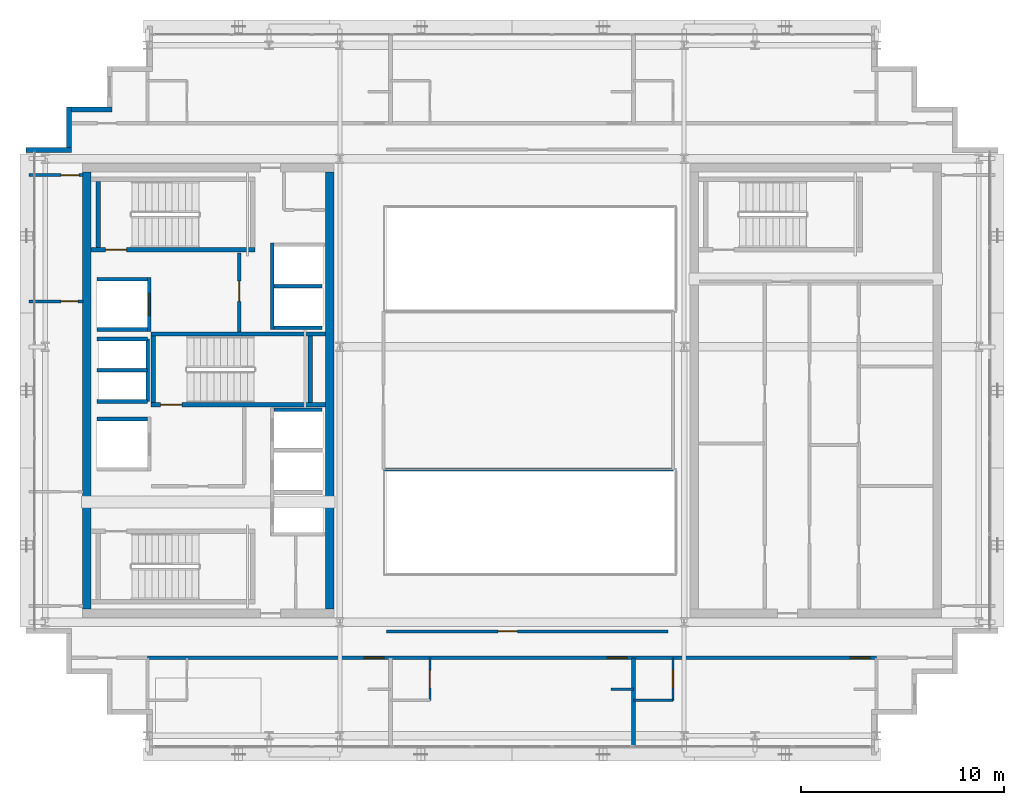
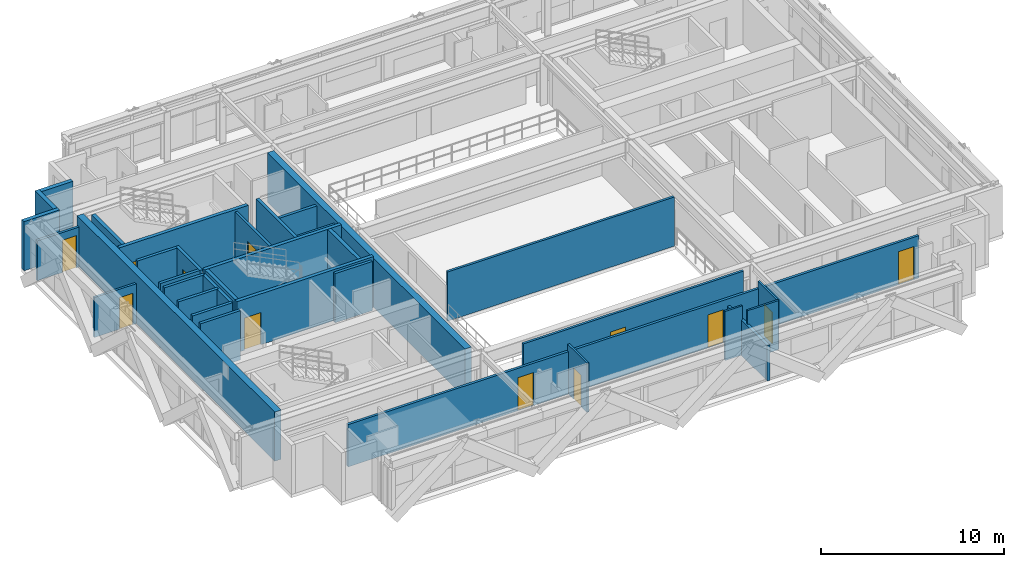
# One storey, part 21 of 28: 34 walls, 12 doors, 12 openings.
"""IFC4 building model written with IfcOpenShell, lengths in metres."""

import ifcopenshell
import ifcopenshell.guid

model = None  # the IFC model being written
_history = None  # IfcOwnerHistory: only IFC2X3 demands one
_inside = {}  # id of a spatial element -> (the spatial element, [elements in it])
_under = {}  # id of a project, library or spatial element -> (it, [spatial elements below it])
_declared = {}  # id of a project -> (the project, [libraries it declares])
_typed = {}  # id of a type object -> (the type object, [elements of that type])
_made_of = {}  # id of a material, layer set ... -> (it, [elements and type objects made of it])


def new_model(schema):
    """Start an empty IFC model of exactly this schema.

    Asked for "IFC4X3", IfcOpenShell would pick the latest addendum, in which some entities
    have other attributes; the version numbers below select the first issue.
    IFC2X3 requires an IfcOwnerHistory on every rooted entity: one is made here for all.
    """
    global model, _history
    if schema == "IFC4X3":
        model = ifcopenshell.file(schema_version=(4, 3, 0, 0))
    else:
        model = ifcopenshell.file(schema=schema)
    _inside.clear()
    _under.clear()
    _declared.clear()
    _typed.clear()
    _made_of.clear()
    _history = None
    if model.schema == "IFC2X3":
        org = make("IfcOrganization", Name="unknown")
        user = make(
            "IfcPersonAndOrganization",
            ThePerson=make("IfcPerson", FamilyName="unknown"),
            TheOrganization=org,
        )
        app = make(
            "IfcApplication",
            ApplicationDeveloper=org,
            Version="unknown",
            ApplicationFullName="unknown",
            ApplicationIdentifier="unknown",
        )
        _history = make(
            "IfcOwnerHistory",
            OwningUser=user,
            OwningApplication=app,
            ChangeAction="ADDED",
            CreationDate=0,
        )
    return model


def make(cls, **values):
    """One entity of the class cls with the attributes given. An attribute that is None is left unset."""
    return model.create_entity(
        cls, **{name: value for name, value in values.items() if value is not None}
    )


def rooted(cls, **values):
    """An entity with a GlobalId (a new one), such as an element, a storey or a relation."""
    return make(cls, GlobalId=ifcopenshell.guid.new(), OwnerHistory=_history, **values)


def si_unit(unit_type, name, prefix=None):
    """IfcSIUnit, for example si_unit("LENGTHUNIT", "METRE", prefix="MILLI")."""
    return make("IfcSIUnit", UnitType=unit_type, Prefix=prefix, Name=name)


def assignment(units):
    """IfcUnitAssignment: the units of a project."""
    return None if units is None else make("IfcUnitAssignment", Units=units)


def point(xyz):
    """IfcCartesianPoint."""
    return None if xyz is None else make("IfcCartesianPoint", Coordinates=xyz)


def direction(xyz):
    """IfcDirection."""
    return None if xyz is None else make("IfcDirection", DirectionRatios=xyz)


def frame(location, z_axis=None, x_axis=None):
    """IfcAxis2Placement3D, a coordinate frame: its origin and axes. An axis left out is left unset."""
    return make(
        "IfcAxis2Placement3D",
        Location=point(location),
        Axis=direction(z_axis),
        RefDirection=direction(x_axis),
    )


def frame_2d(location, x_axis=None):
    """IfcAxis2Placement2D, a coordinate frame in the plane: its origin and x axis."""
    return make(
        "IfcAxis2Placement2D", Location=point(location), RefDirection=direction(x_axis)
    )


def origin():
    """The frame at (0, 0, 0) with its axes left unset."""
    return frame((0.0, 0.0, 0.0))


def place(relative_to, where):
    """IfcLocalPlacement: puts the frame where relative to a parent placement (None: the world)."""
    return make(
        "IfcLocalPlacement", PlacementRelTo=relative_to, RelativePlacement=where
    )


def context(
    kind, dimensions, precision=None, world=None, true_north=None, identifier=None
):
    """IfcGeometricRepresentationContext, for example the 3D "Model" context."""
    return make(
        "IfcGeometricRepresentationContext",
        ContextIdentifier=identifier,
        ContextType=kind,
        CoordinateSpaceDimension=dimensions,
        Precision=precision,
        WorldCoordinateSystem=world,
        TrueNorth=true_north,
    )


def subcontext(parent, identifier, kind, view, scale=None):
    """IfcGeometricRepresentationSubContext, for example "Body" below "Model"."""
    return make(
        "IfcGeometricRepresentationSubContext",
        ContextIdentifier=identifier,
        ContextType=kind,
        ParentContext=parent,
        TargetScale=scale,
        TargetView=view,
    )


def project(units=None, contexts=None):
    """IfcProject with its units and contexts."""
    return rooted(
        "IfcProject",
        Name="project",
        RepresentationContexts=contexts,
        UnitsInContext=assignment(units),
    )


def spatial(cls, under=None, at=None, **own):
    """A site, building, storey or space (cls), placed at a placement, below another one or the project."""
    s = rooted(cls, ObjectPlacement=at, **own)
    if under is not None:
        _under.setdefault(under.id(), (under, []))[1].append(s)
    return s


def profile(cls, at=None, kind="AREA", **sizes):
    """A parametric profile (cls). Its sizes go by their IFC names, for example OverallWidth=200.0."""
    return make(cls, ProfileType=kind, Position=at, **sizes)


def rectangle(**sizes):
    """IfcRectangleProfileDef."""
    return profile("IfcRectangleProfileDef", **sizes)


def extrude(swept, where, along, depth):
    """IfcExtrudedAreaSolid: the profile swept, set in the frame where, extruded along a direction by depth."""
    return make(
        "IfcExtrudedAreaSolid",
        SweptArea=swept,
        Position=where,
        ExtrudedDirection=direction(along),
        Depth=depth,
    )


def shape(context_of_items, identifier, shape_type, items):
    """IfcShapeRepresentation: the items that make up one representation, for example the "Body"."""
    return make(
        "IfcShapeRepresentation",
        ContextOfItems=context_of_items,
        RepresentationIdentifier=identifier,
        RepresentationType=shape_type,
        Items=items,
    )


def source(mapping_origin, context_of_items, identifier, shape_type, items):
    """IfcRepresentationMap: a shape defined once, which mapped items show again and again."""
    return make(
        "IfcRepresentationMap",
        MappingOrigin=mapping_origin,
        MappedRepresentation=shape(context_of_items, identifier, shape_type, items),
    )


def transform(
    local_origin,
    x_axis=None,
    y_axis=None,
    z_axis=None,
    scale=None,
    scale2=None,
    scale3=None,
    uniform=True,
):
    """IfcCartesianTransformationOperator3D, or its non-uniform kind. x_axis, y_axis, z_axis: its Axis1, 2, 3."""
    if uniform:
        return make(
            "IfcCartesianTransformationOperator3D",
            Axis1=direction(x_axis),
            Axis2=direction(y_axis),
            LocalOrigin=point(local_origin),
            Scale=scale,
            Axis3=direction(z_axis),
        )
    return make(
        "IfcCartesianTransformationOperator3DnonUniform",
        Axis1=direction(x_axis),
        Axis2=direction(y_axis),
        LocalOrigin=point(local_origin),
        Scale=scale,
        Axis3=direction(z_axis),
        Scale2=scale2,
        Scale3=scale3,
    )


def mapped(mapping_source, mapping_target):
    """IfcMappedItem: shows the shape of a source again, moved by a transform."""
    return make(
        "IfcMappedItem", MappingSource=mapping_source, MappingTarget=mapping_target
    )


def material(Name=None, Category=None):
    """IfcMaterial."""
    return make("IfcMaterial", Name=Name, Category=Category)


def layer(
    of_material, thickness, ventilated=None, Name=None, Category=None, Priority=None
):
    """IfcMaterialLayer: one layer of a wall or slab, of a material (None: an air gap)."""
    return make(
        "IfcMaterialLayer",
        Material=of_material,
        LayerThickness=thickness,
        IsVentilated=ventilated,
        Name=Name,
        Category=Category,
        Priority=Priority,
    )


def layer_set(layers, Name=None):
    """IfcMaterialLayerSet."""
    return make("IfcMaterialLayerSet", MaterialLayers=layers, LayerSetName=Name)


def made_of(thing, what):
    """Note that an element or type object is made of a material, layer set ...; save() writes the relation."""
    if what is not None:
        _made_of.setdefault(what.id(), (what, []))[1].append(thing)
    return thing


def type_object(cls, material=None, **own):
    """A type object (cls), such as IfcWallType, which elements share."""
    return made_of(rooted(cls, **own), material)


def element(
    cls,
    number,
    at=None,
    inside=None,
    cuts=None,
    type_object=None,
    material=None,
    context=None,
    identifier="Body",
    shape_type=None,
    held_by="IfcProductDefinitionShape",
    body=None,
    shapes=None,
    **own,
):
    """One element of the class cls, such as IfcWall. Its Tag is "e" and its number.

    at: its placement. inside: the storey or other place that contains it. cuts: it is an
    opening in that element (IfcRelVoidsElement). A single representation is given by context,
    identifier, shape_type and body (its items); several are given by shapes. held_by: the class
    of the entity that holds the representations. save() writes the other relations.
    """
    e = rooted(cls, Tag="e%d" % number, ObjectPlacement=at, **own)
    if body is not None:
        shapes = [shape(context, identifier, shape_type, body)]
    if shapes is not None:
        e.Representation = make(held_by, Representations=shapes)
    if inside is not None:
        _inside.setdefault(inside.id(), (inside, []))[1].append(e)
    if cuts is not None:
        rooted(
            "IfcRelVoidsElement", RelatingBuildingElement=cuts, RelatedOpeningElement=e
        )
    if type_object is not None:
        _typed.setdefault(type_object.id(), (type_object, []))[1].append(e)
    return made_of(e, material)


def fill(opening, filler):
    """IfcRelFillsElement: the door or window that sits in an opening."""
    return rooted(
        "IfcRelFillsElement",
        RelatingOpeningElement=opening,
        RelatedBuildingElement=filler,
    )


def aggregate(whole, parts):
    """IfcRelAggregates: a whole, such as a stair, and the parts it consists of."""
    return rooted("IfcRelAggregates", RelatingObject=whole, RelatedObjects=parts)


def save(model, path):
    """Write the relations noted so far, then the file.

    IfcRelAggregates (storeys below a building ...), IfcRelContainedInSpatialStructure (elements
    in a storey), IfcRelDefinesByType, IfcRelAssociatesMaterial and IfcRelDeclares: one each for
    every whole, place, type object, material and project.
    """
    for whole, parts in _under.values():
        aggregate(whole, parts)
    for where, things in _inside.values():
        rooted(
            "IfcRelContainedInSpatialStructure",
            RelatedElements=things,
            RelatingStructure=where,
        )
    for kind, things in _typed.values():
        rooted("IfcRelDefinesByType", RelatedObjects=things, RelatingType=kind)
    for what, things in _made_of.values():
        rooted("IfcRelAssociatesMaterial", RelatedObjects=things, RelatingMaterial=what)
    for by, libraries in _declared.values():
        rooted("IfcRelDeclares", RelatingContext=by, RelatedDefinitions=libraries)
    model.write(path)


model = new_model("IFC4")

# Units and contexts
model_context = context("Model", 3, precision=1e-05, world=origin(), true_north=direction((0.0, 1.0)))
body_context = subcontext(model_context, "Body", "Model", "MODEL_VIEW")
ifc_project = project(units=[si_unit("LENGTHUNIT", "METRE"), si_unit("AREAUNIT", "SQUARE_METRE"), si_unit("VOLUMEUNIT", "CUBIC_METRE"), si_unit("PLANEANGLEUNIT", "RADIAN"), si_unit("MASSUNIT", "GRAM", prefix="KILO")], contexts=[model_context])

# Site, building, storey
site_placement = place(None, origin())
site = spatial("IfcSite", under=ifc_project, at=site_placement, CompositionType="ELEMENT")
building_placement = place(site_placement, origin())
building = spatial("IfcBuilding", under=site, at=building_placement, Name="Ocotamira Hotel", CompositionType="ELEMENT")
storey_placement = place(building_placement, frame((0.0, 0.0, 243.60009765625)))
storey = spatial("IfcBuildingStorey", under=building, at=storey_placement, Name="L61", CompositionType="ELEMENT", Elevation=243.60009765625)

# Walls
ifc_material_1 = material(Name="Concrete C50/60", Category="concrete")
ifc_layer_1 = layer(ifc_material_1, 0.39990234375)
ifc_layer_set_1 = layer_set([ifc_layer_1], Name="Concrete C50/60")
wall_type_1 = type_object("IfcWallType", Name="WL-CORE-400", PredefinedType="SHEAR", material=ifc_layer_set_1)
for number, where, z_axis, x_axis, name in (
    (1, (11.0, 15.199951171875, 0.0), (0.0, 0.0, 1.0), (0.0, 1.0, 0.0), "L61 Shear Core Wall WCORE-W"),
    (2, (23.0, 15.199951171875, 0.0), (0.0, 0.0, 1.0), (0.0, 1.0, 0.0), "L61 Shear Core Wall WCORE-E"),
):
    element("IfcWall", number, at=place(storey_placement, frame(where, z_axis=z_axis, x_axis=x_axis)), inside=storey, type_object=wall_type_1, Name=name, PredefinedType="SHEAR", context=body_context, shape_type="SweptSolid", body=[
        extrude(rectangle(XDim=21.60009765625, YDim=0.39990234375, at=frame_2d((10.800048828125, 0.0))), origin(), (0.0, 0.0, 1.0), 3.27978515625),
    ])
ifc_material_2 = material(Name="Precast concrete C45/55", Category="concrete")
ifc_layer_2 = layer(ifc_material_2, 0.25)
ifc_layer_set_2 = layer_set([ifc_layer_2], Name="Precast concrete C45/55")
wall_type_2 = type_object("IfcWallType", Name="WL-EXT-SER-250", PredefinedType="SOLIDWALL", material=ifc_layer_set_2)
for number, where, z_axis, x_axis, name in (
    (3, (12.25, 39.875, 0.0), (0.0, 0.0, 1.0), (-1.0, 0.0, 0.0), "L61 Serrated Corner Wall 16"),
    (4, (10.125, 40.0, 0.0), (0.0, 0.0, 1.0), (0.0, -1.0, 0.0), "L61 Serrated Corner Wall 17"),
):
    element("IfcWall", number, at=place(storey_placement, frame(where, z_axis=z_axis, x_axis=x_axis)), inside=storey, type_object=wall_type_2, Name=name, PredefinedType="SOLIDWALL", context=body_context, shape_type="SweptSolid", body=[
        extrude(rectangle(XDim=2.0, YDim=0.25, at=frame_2d((1.0, 0.0))), origin(), (0.0, 0.0, 1.0), 3.27978515625),
    ])
wall_1_placement = place(storey_placement, frame((10.25, 37.875, 0.0), z_axis=(0.0, 0.0, 1.0), x_axis=(-1.0, 0.0, 0.0)))
element("IfcWall", 5, at=wall_1_placement, inside=storey, type_object=wall_type_2, Name="L61 Serrated Corner Wall 18", PredefinedType="SOLIDWALL", context=body_context, shape_type="SweptSolid", body=[
    extrude(rectangle(XDim=2.25, YDim=0.25, at=frame_2d((1.125, 0.0))), origin(), (0.0, 0.0, 1.0), 3.27978515625),
])

# Wall, opening, door
ifc_material_3 = material(Name="Acoustic double-layer fire gypsum board partition", Category="gypsum")
ifc_layer_3 = layer(ifc_material_3, 0.159912109375)
ifc_layer_set_3 = layer_set([ifc_layer_3], Name="Acoustic double-layer fire gypsum board partition")
wall_type_3 = type_object("IfcWallType", Name="WL-FIRE-160", PredefinedType="PARTITIONING", material=ifc_layer_set_3)
wall_2_placement = place(storey_placement, frame((18.530029296875, 28.89990234375, 0.0), z_axis=(0.0, 0.0, 1.0), x_axis=(0.0, 1.0, 0.0)))
wall_2 = element("IfcWall", 6, at=wall_2_placement, inside=storey, type_object=wall_type_3, Name="L61 Interior Wall PW-L61-FSAE2-E", PredefinedType="PARTITIONING", context=body_context, shape_type="SweptSolid", body=[
    extrude(rectangle(XDim=3.900146484375, YDim=0.159912109375, at=frame_2d((1.9501953125, 0.0))), origin(), (0.0, 0.0, 1.0), 3.27978515625),
])
opening_1_placement = place(wall_2_placement, frame((1.5, 0.0, 0.0)))
opening_1 = element("IfcOpeningElement", 7, at=opening_1_placement, cuts=wall_2, Name="Opening D-FR2", PredefinedType="OPENING", context=body_context, shape_type="SweptSolid", body=[
    extrude(rectangle(XDim=1.0, YDim=2.14990234375, at=frame_2d((0.5, 1.074951171875))), frame((0.0, 0.08984375, 0.0), z_axis=(0.0, -1.0, 0.0), x_axis=(1.0, 0.0, 0.0)), (0.0, 0.0, 1.0), 0.179931640625),
])
ifc_material_4 = material(Name="Fire-rated acoustic timber-veneer door", Category="wood")
door_type_1 = type_object("IfcDoorType", Name="DR-FIRE-1000", OperationType="NOTDEFINED", PredefinedType="DOOR", material=ifc_material_4)
shared_shape_1 = source(origin(), body_context, "Body", "SweptSolid", [
    extrude(rectangle(XDim=1.0, YDim=2.14990234375, at=frame_2d((0.5, 1.074951171875))), frame((0.0, 0.02490234375, 0.0), z_axis=(0.0, -1.0, 0.0), x_axis=(1.0, 0.0, 0.0)), (0.0, 0.0, 1.0), 0.050048828125),
])
door_1_placement = place(opening_1_placement, origin())
door_1 = element("IfcDoor", 8, at=door_1_placement, inside=storey, type_object=door_type_1, Name="L61 Door ID-L61-FSAE2-D [ID-L61-FSAE2-D]", OperationType="SINGLE_SWING_RIGHT", OverallHeight=2.14990234375, OverallWidth=1.0, PredefinedType="DOOR", context=body_context, shape_type="MappedRepresentation", body=[
    mapped(shared_shape_1, transform((0.0, 0.0, 0.0), scale=1.0)),
])
fill(opening_1, door_1)

# Wall, openings, doors
wall_3_placement = place(storey_placement, frame((14.0, 12.800048828125, 0.0), z_axis=(0.0, 0.0, 1.0), x_axis=(1.0, 0.0, 0.0)))
wall_3 = element("IfcWall", 9, at=wall_3_placement, inside=storey, type_object=wall_type_3, Name="L61 Interior Wall PW-L61-Z4CS-CORRW", PredefinedType="PARTITIONING", context=body_context, shape_type="SweptSolid", body=[
    extrude(rectangle(XDim=36.0, YDim=0.159912109375, at=frame_2d((18.0, 0.0))), origin(), (0.0, 0.0, 1.0), 2.822998046875),
])
opening_2_placement = place(wall_3_placement, frame((10.699951171875, 0.0, 0.0)))
opening_2 = element("IfcOpeningElement", 10, at=opening_2_placement, cuts=wall_3, Name="Opening D-GR2", PredefinedType="OPENING", context=body_context, shape_type="SweptSolid", body=[
    extrude(rectangle(XDim=0.97998046875, YDim=2.199951171875, at=frame_2d((0.489990234375, 1.10009765625))), frame((0.0, 0.08984375, 0.0), z_axis=(0.0, -1.0, 0.0), x_axis=(1.0, 0.0, 0.0)), (0.0, 0.0, 1.0), 0.179931640625),
])
opening_3_placement = place(wall_3_placement, frame((22.699951171875, 0.0, 0.0)))
opening_3 = element("IfcOpeningElement", 11, at=opening_3_placement, cuts=wall_3, Name="Opening D-GR2", PredefinedType="OPENING", context=body_context, shape_type="SweptSolid", body=[
    extrude(rectangle(XDim=0.97998046875, YDim=2.199951171875, at=frame_2d((0.489990234375, 1.10009765625))), frame((0.0, 0.08984375, 0.0), z_axis=(0.0, -1.0, 0.0), x_axis=(1.0, 0.0, 0.0)), (0.0, 0.0, 1.0), 0.179931640625),
])
opening_4_placement = place(wall_3_placement, frame((34.699951171875, 0.0, 0.0)))
opening_4 = element("IfcOpeningElement", 12, at=opening_4_placement, cuts=wall_3, Name="Opening D-GR2", PredefinedType="OPENING", context=body_context, shape_type="SweptSolid", body=[
    extrude(rectangle(XDim=0.97998046875, YDim=2.199951171875, at=frame_2d((0.489990234375, 1.10009765625))), frame((0.0, 0.08984375, 0.0), z_axis=(0.0, -1.0, 0.0), x_axis=(1.0, 0.0, 0.0)), (0.0, 0.0, 1.0), 0.179931640625),
])
ifc_material_5 = material(Name="Solid-core walnut grand-suite entrance fire door", Category="wood")
door_type_2 = type_object("IfcDoorType", Name="DR-GUEST-980", OperationType="NOTDEFINED", PredefinedType="DOOR", material=ifc_material_5)
shared_shape_2 = source(origin(), body_context, "Body", "SweptSolid", [
    extrude(rectangle(XDim=0.97998046875, YDim=2.199951171875, at=frame_2d((0.489990234375, 1.10009765625))), frame((0.0, 0.02490234375, 0.0), z_axis=(0.0, -1.0, 0.0), x_axis=(1.0, 0.0, 0.0)), (0.0, 0.0, 1.0), 0.050048828125),
])
door_2_placement = place(opening_2_placement, origin())
door_2 = element("IfcDoor", 13, at=door_2_placement, inside=storey, type_object=door_type_2, Name="L61 Door ID-L61-Z4CS-RMD1 [ID-L61-Z4CS-RMD1]", OperationType="SINGLE_SWING_LEFT", OverallHeight=2.199951171875, OverallWidth=0.97998046875, PredefinedType="DOOR", context=body_context, shape_type="MappedRepresentation", body=[
    mapped(shared_shape_2, transform((0.0, 0.0, 0.0), scale=1.0)),
])
fill(opening_2, door_2)
door_3_placement = place(opening_3_placement, origin())
door_3 = element("IfcDoor", 14, at=door_3_placement, inside=storey, type_object=door_type_2, Name="L61 Door ID-L61-Z4CS-RMD2 [ID-L61-Z4CS-RMD2]", OperationType="SINGLE_SWING_RIGHT", OverallHeight=2.199951171875, OverallWidth=0.97998046875, PredefinedType="DOOR", context=body_context, shape_type="MappedRepresentation", body=[
    mapped(shared_shape_2, transform((0.0, 0.0, 0.0), scale=1.0)),
])
fill(opening_3, door_3)
door_4_placement = place(opening_4_placement, origin())
door_4 = element("IfcDoor", 15, at=door_4_placement, inside=storey, type_object=door_type_2, Name="L61 Door ID-L61-Z4CS-RMD3 [ID-L61-Z4CS-RMD3]", OperationType="SINGLE_SWING_LEFT", OverallHeight=2.199951171875, OverallWidth=0.97998046875, PredefinedType="DOOR", context=body_context, shape_type="MappedRepresentation", body=[
    mapped(shared_shape_2, transform((0.0, 0.0, 0.0), scale=1.0)),
])
fill(opening_4, door_4)

# Wall, opening, door
ifc_material_6 = material(Name="Moisture-resistant en-suite tile and gypsum partition", Category="gypsum")
ifc_layer_4 = layer(ifc_material_6, 0.1201171875)
ifc_layer_set_4 = layer_set([ifc_layer_4], Name="Moisture-resistant en-suite tile and gypsum partition")
wall_type_4 = type_object("IfcWallType", Name="WL-PART-120", PredefinedType="PARTITIONING", material=ifc_layer_set_4)
wall_4_placement = place(storey_placement, frame((27.949951171875, 10.699951171875, 0.0), z_axis=(0.0, 0.0, 1.0), x_axis=(0.0, 1.0, 0.0)))
wall_4 = element("IfcWall", 16, at=wall_4_placement, inside=storey, type_object=wall_type_4, Name="L61 Interior Wall PW-L61-Z4CS-BAE2", PredefinedType="PARTITIONING", context=body_context, shape_type="SweptSolid", body=[
    extrude(rectangle(XDim=2.10009765625, YDim=0.1201171875, at=frame_2d((1.050048828125, 0.0))), origin(), (0.0, 0.0, 1.0), 3.27978515625),
])
opening_5_placement = place(wall_4_placement, frame((0.6201171875, 0.0, 0.0)))
opening_5 = element("IfcOpeningElement", 17, at=opening_5_placement, cuts=wall_4, Name="Opening D-BA1", PredefinedType="OPENING", context=body_context, shape_type="SweptSolid", body=[
    extrude(rectangle(XDim=0.860107421875, YDim=2.10009765625, at=frame_2d((0.43017578125, 1.050048828125))), frame((0.0, 0.070068359375, 0.0), z_axis=(0.0, -1.0, 0.0), x_axis=(1.0, 0.0, 0.0)), (0.0, 0.0, 1.0), 0.14013671875),
])
ifc_material_7 = material(Name="Moisture-sealed en-suite timber door", Category="wood")
door_type_3 = type_object("IfcDoorType", Name="DR-BATH-860", OperationType="NOTDEFINED", PredefinedType="DOOR", material=ifc_material_7)
shared_shape_3 = source(origin(), body_context, "Body", "SweptSolid", [
    extrude(rectangle(XDim=0.860107421875, YDim=2.10009765625, at=frame_2d((0.43017578125, 1.050048828125))), frame((0.0, 0.02490234375, 0.0), z_axis=(0.0, -1.0, 0.0), x_axis=(1.0, 0.0, 0.0)), (0.0, 0.0, 1.0), 0.050048828125),
])
door_5_placement = place(opening_5_placement, origin())
door_5 = element("IfcDoor", 18, at=door_5_placement, inside=storey, type_object=door_type_3, Name="L61 Door ID-L61-Z4CS-BAD2 [ID-L61-Z4CS-BAD2]", OperationType="SINGLE_SWING_LEFT", OverallHeight=2.10009765625, OverallWidth=0.860107421875, PredefinedType="DOOR", context=body_context, shape_type="MappedRepresentation", body=[
    mapped(shared_shape_3, transform((0.0, 0.0, 0.0), scale=1.0)),
])
fill(opening_5, door_5)

# Wall
wall_5_placement = place(storey_placement, frame((36.89990234375, 11.25, 0.0), z_axis=(0.0, 0.0, 1.0), x_axis=(1.0, 0.0, 0.0)))
element("IfcWall", 19, at=wall_5_placement, inside=storey, type_object=wall_type_4, Name="L61 Interior Wall PW-L61-Z4CS-DRN2", PredefinedType="PARTITIONING", context=body_context, shape_type="SweptSolid", body=[
    extrude(rectangle(XDim=1.10009765625, YDim=0.1201171875, at=frame_2d((0.550048828125, 0.0))), origin(), (0.0, 0.0, 1.0), 3.27978515625),
])

# Wall, opening, door
wall_6_placement = place(storey_placement, frame((39.949951171875, 10.699951171875, 0.0), z_axis=(0.0, 0.0, 1.0), x_axis=(0.0, 1.0, 0.0)))
wall_6 = element("IfcWall", 20, at=wall_6_placement, inside=storey, type_object=wall_type_4, Name="L61 Interior Wall PW-L61-Z4CS-BAE3", PredefinedType="PARTITIONING", context=body_context, shape_type="SweptSolid", body=[
    extrude(rectangle(XDim=2.10009765625, YDim=0.1201171875, at=frame_2d((1.050048828125, 0.0))), origin(), (0.0, 0.0, 1.0), 3.27978515625),
])
opening_6_placement = place(wall_6_placement, frame((0.6201171875, 0.0, 0.0)))
opening_6 = element("IfcOpeningElement", 21, at=opening_6_placement, cuts=wall_6, Name="Opening D-BA1", PredefinedType="OPENING", context=body_context, shape_type="SweptSolid", body=[
    extrude(rectangle(XDim=0.860107421875, YDim=2.10009765625, at=frame_2d((0.43017578125, 1.050048828125))), frame((0.0, 0.070068359375, 0.0), z_axis=(0.0, -1.0, 0.0), x_axis=(1.0, 0.0, 0.0)), (0.0, 0.0, 1.0), 0.14013671875),
])
door_6_placement = place(opening_6_placement, origin())
door_6 = element("IfcDoor", 22, at=door_6_placement, inside=storey, type_object=door_type_3, Name="L61 Door ID-L61-Z4CS-BAD3 [ID-L61-Z4CS-BAD3]", OperationType="SINGLE_SWING_RIGHT", OverallHeight=2.10009765625, OverallWidth=0.860107421875, PredefinedType="DOOR", context=body_context, shape_type="MappedRepresentation", body=[
    mapped(shared_shape_3, transform((0.0, 0.0, 0.0), scale=1.0)),
])
fill(opening_6, door_6)

# Wall
wall_7_placement = place(storey_placement, frame((38.0, 10.699951171875, 0.0), z_axis=(0.0, 0.0, 1.0), x_axis=(1.0, 0.0, 0.0)))
element("IfcWall", 23, at=wall_7_placement, inside=storey, type_object=wall_type_4, Name="L61 Interior Wall PW-L61-Z4CS-BAS3", PredefinedType="PARTITIONING", context=body_context, shape_type="SweptSolid", body=[
    extrude(rectangle(XDim=1.949951171875, YDim=0.1201171875, at=frame_2d((0.97509765625, 0.0))), origin(), (0.0, 0.0, 1.0), 3.27978515625),
])

# Wall, opening, door
ifc_material_8 = material(Name="Acoustic hospitality gypsum board partition", Category="gypsum")
ifc_layer_5 = layer(ifc_material_8, 0.14208984375)
ifc_layer_set_5 = layer_set([ifc_layer_5], Name="Acoustic hospitality gypsum board partition")
wall_type_5 = type_object("IfcWallType", Name="WL-PART-142", PredefinedType="PARTITIONING", material=ifc_layer_set_5)
wall_8_placement = place(storey_placement, frame((8.159912109375, 30.39990234375, 0.0), z_axis=(0.0, 0.0, 1.0), x_axis=(1.0, 0.0, 0.0)))
wall_8 = element("IfcWall", 24, at=wall_8_placement, inside=storey, type_object=wall_type_5, Name="L61 Interior Wall PW-L61-Z4CW-DV2", PredefinedType="PARTITIONING", context=body_context, shape_type="SweptSolid", body=[
    extrude(rectangle(XDim=2.66015625, YDim=0.14208984375, at=frame_2d((1.330078125, 0.0))), origin(), (0.0, 0.0, 1.0), 2.662841796875),
])
opening_7_placement = place(wall_8_placement, frame((1.580078125, 0.0, 0.0)))
opening_7 = element("IfcOpeningElement", 25, at=opening_7_placement, cuts=wall_8, Name="Opening D-SV1", PredefinedType="OPENING", context=body_context, shape_type="SweptSolid", body=[
    extrude(rectangle(XDim=0.840087890625, YDim=2.10009765625, at=frame_2d((0.419921875, 1.050048828125))), frame((0.0, 0.0810546875, 0.0), z_axis=(0.0, -1.0, 0.0), x_axis=(1.0, 0.0, 0.0)), (0.0, 0.0, 1.0), 0.162109375),
])
ifc_material_9 = material(Name="Fire-rated painted steel service door", Category="steel")
door_type_4 = type_object("IfcDoorType", Name="DR-SERV-840", OperationType="NOTDEFINED", PredefinedType="DOOR", material=ifc_material_9)
shared_shape_4 = source(origin(), body_context, "Body", "SweptSolid", [
    extrude(rectangle(XDim=0.840087890625, YDim=2.10009765625, at=frame_2d((0.419921875, 1.050048828125))), frame((0.0, 0.02490234375, 0.0), z_axis=(0.0, -1.0, 0.0), x_axis=(1.0, 0.0, 0.0)), (0.0, 0.0, 1.0), 0.050048828125),
])
door_7_placement = place(opening_7_placement, origin())
door_7 = element("IfcDoor", 26, at=door_7_placement, inside=storey, type_object=door_type_4, Name="L61 Door ID-L61-Z4CW-DV2D [ID-L61-Z4CW-DV2D]", OperationType="SINGLE_SWING_RIGHT", OverallHeight=2.10009765625, OverallWidth=0.840087890625, PredefinedType="DOOR", context=body_context, shape_type="MappedRepresentation", body=[
    mapped(shared_shape_4, transform((0.0, 0.0, 0.0), scale=1.0)),
])
fill(opening_7, door_7)

ifc_layer_6 = layer(ifc_material_8, 0.14990234375)
ifc_layer_set_6 = layer_set([ifc_layer_6], Name="Acoustic hospitality gypsum board partition")
wall_type_6 = type_object("IfcWallType", Name="WL-PART-150", PredefinedType="PARTITIONING", material=ifc_layer_set_6)
wall_9_placement = place(storey_placement, frame((25.800048828125, 14.10009765625, 0.0), z_axis=(0.0, 0.0, 1.0), x_axis=(1.0, 0.0, 0.0)))
wall_9 = element("IfcWall", 27, at=wall_9_placement, inside=storey, type_object=wall_type_6, Name="L61 Interior Wall PW-L61-Z4C-ATRSN", PredefinedType="PARTITIONING", context=body_context, shape_type="SweptSolid", body=[
    extrude(rectangle(XDim=13.89990234375, YDim=0.14990234375, at=frame_2d((6.949951171875, 0.0))), origin(), (0.0, 0.0, 1.0), 3.27978515625),
])
opening_8_placement = place(wall_9_placement, frame((5.5, 0.0, 0.0)))
opening_8 = element("IfcOpeningElement", 28, at=opening_8_placement, cuts=wall_9, Name="Opening D-SV4", PredefinedType="OPENING", context=body_context, shape_type="SweptSolid", body=[
    extrude(rectangle(XDim=0.9599609375, YDim=2.14990234375, at=frame_2d((0.47998046875, 1.074951171875))), frame((0.0, 0.0849609375, 0.0), z_axis=(0.0, -1.0, 0.0), x_axis=(1.0, 0.0, 0.0)), (0.0, 0.0, 1.0), 0.169921875),
])
ifc_material_10 = material(Name="Fire-rated accessible walnut salon door", Category="wood")
door_type_5 = type_object("IfcDoorType", Name="DR-SERV-960", OperationType="NOTDEFINED", PredefinedType="DOOR", material=ifc_material_10)
shared_shape_5 = source(origin(), body_context, "Body", "SweptSolid", [
    extrude(rectangle(XDim=0.9599609375, YDim=2.14990234375, at=frame_2d((0.47998046875, 1.074951171875))), frame((0.0, 0.02490234375, 0.0), z_axis=(0.0, -1.0, 0.0), x_axis=(1.0, 0.0, 0.0)), (0.0, 0.0, 1.0), 0.050048828125),
])
door_8_placement = place(opening_8_placement, origin())
door_8 = element("IfcDoor", 29, at=door_8_placement, inside=storey, type_object=door_type_5, Name="L61 Door ID-L61-Z4C-ASD [ID-L61-Z4C-ASD]", OperationType="SINGLE_SWING_LEFT", OverallHeight=2.14990234375, OverallWidth=0.9599609375, PredefinedType="DOOR", context=body_context, shape_type="MappedRepresentation", body=[
    mapped(shared_shape_5, transform((0.0, 0.0, 0.0), scale=1.0)),
])
fill(opening_8, door_8)

# Wall
wall_10_placement = place(storey_placement, frame((25.64990234375, 22.10009765625, 0.0), z_axis=(0.0, 0.0, 1.0), x_axis=(1.0, 0.0, 0.0)))
element("IfcWall", 30, at=wall_10_placement, inside=storey, type_object=wall_type_6, Name="L61 Interior Wall PW-L61-L61-BRS", PredefinedType="PARTITIONING", context=body_context, shape_type="SweptSolid", body=[
    extrude(rectangle(XDim=14.300048828125, YDim=0.14990234375, at=frame_2d((7.14990234375, 0.0))), origin(), (0.0, 0.0, 1.0), 3.27978515625),
])

# Wall, opening, door
wall_11_placement = place(storey_placement, frame((8.159912109375, 36.639892578125, 0.0), z_axis=(0.0, 0.0, 1.0), x_axis=(1.0, 0.0, 0.0)))
wall_11 = element("IfcWall", 31, at=wall_11_placement, inside=storey, type_object=wall_type_6, Name="L61 Interior Wall PW-L61-Z4CW-WN", PredefinedType="PARTITIONING", context=body_context, shape_type="SweptSolid", body=[
    extrude(rectangle(XDim=2.66015625, YDim=0.14990234375, at=frame_2d((1.330078125, 0.0))), origin(), (0.0, 0.0, 1.0), 2.662841796875),
])
opening_9_placement = place(wall_11_placement, frame((1.580078125, 0.0, 0.0)))
opening_9 = element("IfcOpeningElement", 32, at=opening_9_placement, cuts=wall_11, Name="Opening D-SV2", PredefinedType="OPENING", context=body_context, shape_type="SweptSolid", body=[
    extrude(rectangle(XDim=0.8798828125, YDim=2.14990234375, at=frame_2d((0.43994140625, 1.074951171875))), frame((0.0, 0.0849609375, 0.0), z_axis=(0.0, -1.0, 0.0), x_axis=(1.0, 0.0, 0.0)), (0.0, 0.0, 1.0), 0.169921875),
])
door_type_6 = type_object("IfcDoorType", Name="DR-SERV-880", OperationType="NOTDEFINED", PredefinedType="DOOR", material=ifc_material_9)
shared_shape_6 = source(origin(), body_context, "Body", "SweptSolid", [
    extrude(rectangle(XDim=0.8798828125, YDim=2.14990234375, at=frame_2d((0.43994140625, 1.074951171875))), frame((0.0, 0.02490234375, 0.0), z_axis=(0.0, -1.0, 0.0), x_axis=(1.0, 0.0, 0.0)), (0.0, 0.0, 1.0), 0.050048828125),
])
door_9_placement = place(opening_9_placement, origin())
door_9 = element("IfcDoor", 33, at=door_9_placement, inside=storey, type_object=door_type_6, Name="L61 Door ID-L61-Z4CW-DN [ID-L61-Z4CW-DN]", OperationType="SINGLE_SWING_RIGHT", OverallHeight=2.14990234375, OverallWidth=0.8798828125, PredefinedType="DOOR", context=body_context, shape_type="MappedRepresentation", body=[
    mapped(shared_shape_6, transform((0.0, 0.0, 0.0), scale=1.0)),
])
fill(opening_9, door_9)

# Walls
ifc_material_11 = material(Name="Double-stud suite party gypsum partition", Category="gypsum")
ifc_layer_7 = layer(ifc_material_11, 0.175048828125)
ifc_layer_set_7 = layer_set([ifc_layer_7], Name="Double-stud suite party gypsum partition")
wall_type_7 = type_object("IfcWallType", Name="WL-PART-175", PredefinedType="PARTITIONING", material=ifc_layer_set_7)
wall_12_placement = place(storey_placement, frame((38.0, 8.360107421875, 0.0), z_axis=(0.0, 0.0, 1.0), x_axis=(0.0, 1.0, 0.0)))
element("IfcWall", 34, at=wall_12_placement, inside=storey, type_object=wall_type_7, Name="L61 Interior Wall PW-L61-Z4CS-PW2", PredefinedType="PARTITIONING", context=body_context, shape_type="SweptSolid", body=[
    extrude(rectangle(XDim=4.43994140625, YDim=0.175048828125, at=frame_2d((2.219970703125, 0.0))), origin(), (0.0, 0.0, 1.0), 2.35986328125),
])
ifc_material_12 = material(Name="Fire-rated gypsum shaftliner board assembly", Category="gypsum")
ifc_layer_8 = layer(ifc_material_12, 0.179931640625)
ifc_layer_set_8 = layer_set([ifc_layer_8], Name="Fire-rated gypsum shaftliner board assembly")
wall_type_8 = type_object("IfcWallType", Name="WL-SHAFT-180", PredefinedType="SOLIDWALL", material=ifc_layer_set_8)
wall_13_placement = place(storey_placement, frame((20.25, 25.050048828125, 0.0), z_axis=(0.0, 0.0, 1.0), x_axis=(1.0, 0.0, 0.0)))
element("IfcWall", 35, at=wall_13_placement, inside=storey, type_object=wall_type_8, Name="L61 Interior Wall PW-L61-LFW-BANK-high-N", PredefinedType="SOLIDWALL", context=body_context, shape_type="SweptSolid", body=[
    extrude(rectangle(XDim=2.360107421875, YDim=0.179931640625, at=frame_2d((1.18017578125, 0.0))), origin(), (0.0, 0.0, 1.0), 3.27978515625),
])
wall_14_placement = place(storey_placement, frame((20.159912109375, 29.0, 0.0), z_axis=(0.0, 0.0, 1.0), x_axis=(0.0, 1.0, 0.0)))
element("IfcWall", 36, at=wall_14_placement, inside=storey, type_object=wall_type_8, Name="L61 Interior Wall PW-L61-LFW-BANK-obs-F", PredefinedType="SOLIDWALL", context=body_context, shape_type="SweptSolid", body=[
    extrude(rectangle(XDim=4.2900390625, YDim=0.179931640625, at=frame_2d((2.14501953125, 0.0))), origin(), (0.0, 0.0, 1.0), 3.27978515625),
])
for number, where, z_axis, x_axis, name in (
    (37, (20.25, 29.090087890625, 0.0), (0.0, 0.0, 1.0), (1.0, 0.0, 0.0), "L61 Interior Wall PW-L61-LFW-BANK-obs-S"),
    (38, (20.25, 31.14501953125, 0.0), (0.0, 0.0, 1.0), (1.0, 0.0, 0.0), "L61 Interior Wall PW-L61-LFW-DIV-LF-OBS1"),
):
    element("IfcWall", number, at=place(storey_placement, frame(where, z_axis=z_axis, x_axis=x_axis)), inside=storey, type_object=wall_type_8, Name=name, PredefinedType="SOLIDWALL", context=body_context, shape_type="SweptSolid", body=[
        extrude(rectangle(XDim=2.360107421875, YDim=0.179931640625, at=frame_2d((1.18017578125, 0.0))), origin(), (0.0, 0.0, 1.0), 3.27978515625),
    ])
for number, where, z_axis, x_axis, name in (
    (39, (11.5, 24.590087890625, 0.0), (0.0, 0.0, 1.0), (1.0, 0.0, 0.0), "L61 Interior Wall PW-L61-LFW-LF-FSAE1-N"),
    (40, (11.5, 29.010009765625, 0.0), (0.0, 0.0, 1.0), (1.0, 0.0, 0.0), "L61 Interior Wall PW-L61-LFW-LF-FSAE2-S"),
    (41, (11.5, 31.489990234375, 0.0), (0.0, 0.0, 1.0), (1.0, 0.0, 0.0), "L61 Interior Wall PW-L61-LFW-LF-FSAE2-N"),
):
    element("IfcWall", number, at=place(storey_placement, frame(where, z_axis=z_axis, x_axis=x_axis)), inside=storey, type_object=wall_type_8, Name=name, PredefinedType="SOLIDWALL", context=body_context, shape_type="SweptSolid", body=[
        extrude(rectangle(XDim=2.5, YDim=0.179931640625, at=frame_2d((1.25, 0.0))), origin(), (0.0, 0.0, 1.0), 3.27978515625),
    ])

# Wall, opening, door
wall_15_placement = place(storey_placement, frame((14.090087890625, 28.919921875, 0.0), z_axis=(0.0, 0.0, 1.0), x_axis=(0.0, 1.0, 0.0)))
wall_15 = element("IfcWall", 42, at=wall_15_placement, inside=storey, type_object=wall_type_8, Name="L61 Interior Wall PW-L61-LFW-LF-FSAE2-E", PredefinedType="SOLIDWALL", context=body_context, shape_type="SweptSolid", body=[
    extrude(rectangle(XDim=2.66015625, YDim=0.179931640625, at=frame_2d((1.330078125, 0.0))), origin(), (0.0, 0.0, 1.0), 3.27978515625),
])
opening_10_placement = place(wall_15_placement, frame((0.780029296875, 0.0, 0.0)))
opening_10 = element("IfcOpeningElement", 43, at=opening_10_placement, cuts=wall_15, Name="Opening LD-LF-FSAE2", PredefinedType="OPENING", context=body_context, shape_type="SweptSolid", body=[
    extrude(rectangle(XDim=1.10009765625, YDim=2.199951171875, at=frame_2d((0.550048828125, 1.10009765625))), frame((0.0, 0.10009765625, 0.0), z_axis=(0.0, -1.0, 0.0), x_axis=(1.0, 0.0, 0.0)), (0.0, 0.0, 1.0), 0.199951171875),
])
ifc_material_13 = material(Name="Brushed pale-metal stainless elevator landing door", Category="steel")
door_type_7 = type_object("IfcDoorType", Name="DR-LIFT-1100", OperationType="NOTDEFINED", PredefinedType="DOOR", material=ifc_material_13)
shared_shape_7 = source(origin(), body_context, "Body", "SweptSolid", [
    extrude(rectangle(XDim=1.10009765625, YDim=2.199951171875, at=frame_2d((0.550048828125, 1.10009765625))), frame((0.0, 0.02490234375, 0.0), z_axis=(0.0, -1.0, 0.0), x_axis=(1.0, 0.0, 0.0)), (0.0, 0.0, 1.0), 0.050048828125),
])
door_10_placement = place(opening_10_placement, origin())
door_10 = element("IfcDoor", 44, at=door_10_placement, inside=storey, type_object=door_type_7, Name="L61 Landing Door LD-LF-FSAE2 [ID-L61-LD-LF-FSAE2]", OperationType="DOUBLE_DOOR_SLIDING", OverallHeight=2.199951171875, OverallWidth=1.10009765625, PredefinedType="DOOR", context=body_context, shape_type="MappedRepresentation", body=[
    mapped(shared_shape_7, transform((0.0, 0.0, 0.0), scale=1.0)),
])
fill(opening_10, door_10)

# Walls
for number, where, z_axis, x_axis, name in (
    (45, (11.5, 25.4599609375, 0.0), (0.0, 0.0, 1.0), (1.0, 0.0, 0.0), "L61 Interior Wall PW-L61-RSW-S"),
    (46, (11.5, 27.0, 0.0), (0.0, 0.0, 1.0), (1.0, 0.0, 0.0), "L61 Interior Wall PW-L61-RSW-MID"),
    (47, (11.5, 28.5400390625, 0.0), (0.0, 0.0, 1.0), (1.0, 0.0, 0.0), "L61 Interior Wall PW-L61-RSW-N"),
):
    element("IfcWall", number, at=place(storey_placement, frame(where, z_axis=z_axis, x_axis=x_axis)), inside=storey, type_object=wall_type_8, Name=name, PredefinedType="SOLIDWALL", context=body_context, shape_type="SweptSolid", body=[
        extrude(rectangle(XDim=2.510009765625, YDim=0.179931640625, at=frame_2d((1.2548828125, 0.0))), origin(), (0.0, 0.0, 1.0), 3.27978515625),
    ])
wall_16_placement = place(storey_placement, frame((14.010009765625, 25.4599609375, 0.0), z_axis=(0.0, 0.0, 1.0), x_axis=(0.0, 1.0, 0.0)))
element("IfcWall", 48, at=wall_16_placement, inside=storey, type_object=wall_type_8, Name="L61 Interior Wall PW-L61-RSW-E", PredefinedType="SOLIDWALL", context=body_context, shape_type="SweptSolid", body=[
    extrude(rectangle(XDim=3.080078125, YDim=0.179931640625, at=frame_2d((1.5400390625, 0.0))), origin(), (0.0, 0.0, 1.0), 3.27978515625),
])

# Wall, opening, door
ifc_layer_9 = layer(ifc_material_1, 0.219970703125)
ifc_layer_set_9 = layer_set([ifc_layer_9], Name="Concrete C50/60")
wall_type_9 = type_object("IfcWallType", Name="WL-STAIR-220", PredefinedType="SHEAR", material=ifc_layer_set_9)
wall_17_placement = place(storey_placement, frame((11.199951171875, 32.93994140625, 0.0), z_axis=(0.0, 0.0, 1.0), x_axis=(1.0, 0.0, 0.0)))
wall_17 = element("IfcWall", 49, at=wall_17_placement, inside=storey, type_object=wall_type_9, Name="L61 Stair Shaft Structural Wall ST-2-S", PredefinedType="SHEAR", context=body_context, shape_type="SweptSolid", body=[
    extrude(rectangle(XDim=8.110107421875, YDim=0.219970703125, at=frame_2d((4.05517578125, 0.0))), origin(), (0.0, 0.0, 1.0), 3.39990234375),
])
opening_11_placement = place(wall_17_placement, frame((0.719970703125, 0.0, 0.0)))
opening_11 = element("IfcOpeningElement", 50, at=opening_11_placement, cuts=wall_17, Name="Opening D-ST2", PredefinedType="OPENING", context=body_context, shape_type="SweptSolid", body=[
    extrude(rectangle(XDim=1.050048828125, YDim=2.14990234375, at=frame_2d((0.52490234375, 1.074951171875))), frame((0.0, 0.1201171875, 0.0), z_axis=(0.0, -1.0, 0.0), x_axis=(1.0, 0.0, 0.0)), (0.0, 0.0, 1.0), 0.239990234375),
])
ifc_material_14 = material(Name="Insulated painted hollow-metal fire exit door", Category="steel")
door_type_8 = type_object("IfcDoorType", Name="DR-STAIR-1050", OperationType="NOTDEFINED", PredefinedType="DOOR", material=ifc_material_14)
shared_shape_8 = source(origin(), body_context, "Body", "SweptSolid", [
    extrude(rectangle(XDim=1.050048828125, YDim=2.14990234375, at=frame_2d((0.52490234375, 1.074951171875))), frame((0.0, 0.02490234375, 0.0), z_axis=(0.0, -1.0, 0.0), x_axis=(1.0, 0.0, 0.0)), (0.0, 0.0, 1.0), 0.050048828125),
])
door_11_placement = place(opening_11_placement, origin())
door_11 = element("IfcDoor", 51, at=door_11_placement, inside=storey, type_object=door_type_8, Name="L61 Door ID-L61-STD-ST-2 [ID-L61-STD-ST-2]", OperationType="SINGLE_SWING_LEFT", OverallHeight=2.14990234375, OverallWidth=1.050048828125, PredefinedType="DOOR", context=body_context, shape_type="MappedRepresentation", body=[
    mapped(shared_shape_8, transform((0.0, 0.0, 0.0), scale=1.0)),
])
fill(opening_11, door_11)

# Wall
wall_18_placement = place(storey_placement, frame((11.56005859375, 33.050048828125, 0.0), z_axis=(0.0, 0.0, 1.0), x_axis=(0.0, 1.0, 0.0)))
element("IfcWall", 52, at=wall_18_placement, inside=storey, type_object=wall_type_9, Name="L61 Stair Shaft Structural Wall ST-2-W", PredefinedType="SHEAR", context=body_context, shape_type="SweptSolid", body=[
    extrude(rectangle(XDim=3.280029296875, YDim=0.219970703125, at=frame_2d((1.64013671875, 0.0))), origin(), (0.0, 0.0, 1.0), 3.39990234375),
])

# Wall, opening, door
wall_19_placement = place(storey_placement, frame((14.179931640625, 25.2900390625, 0.0), z_axis=(0.0, 0.0, 1.0), x_axis=(1.0, 0.0, 0.0)))
wall_19 = element("IfcWall", 53, at=wall_19_placement, inside=storey, type_object=wall_type_9, Name="L61 Stair Shaft Structural Wall ST-3-S", PredefinedType="SHEAR", context=body_context, shape_type="SweptSolid", body=[
    extrude(rectangle(XDim=8.6201171875, YDim=0.219970703125, at=frame_2d((4.31005859375, 0.0))), origin(), (0.0, 0.0, 1.0), 3.39990234375),
])
opening_12_placement = place(wall_19_placement, frame((0.469970703125, 0.0, 0.0)))
opening_12 = element("IfcOpeningElement", 54, at=opening_12_placement, cuts=wall_19, Name="Opening D-ST2", PredefinedType="OPENING", context=body_context, shape_type="SweptSolid", body=[
    extrude(rectangle(XDim=1.050048828125, YDim=2.14990234375, at=frame_2d((0.52490234375, 1.074951171875))), frame((0.0, 0.1201171875, 0.0), z_axis=(0.0, -1.0, 0.0), x_axis=(1.0, 0.0, 0.0)), (0.0, 0.0, 1.0), 0.239990234375),
])
door_12_placement = place(opening_12_placement, origin())
door_12 = element("IfcDoor", 55, at=door_12_placement, inside=storey, type_object=door_type_8, Name="L61 Door ID-L61-STD-ST-3 [ID-L61-STD-ST-3]", OperationType="SINGLE_SWING_RIGHT", OverallHeight=2.14990234375, OverallWidth=1.050048828125, PredefinedType="DOOR", context=body_context, shape_type="MappedRepresentation", body=[
    mapped(shared_shape_8, transform((0.0, 0.0, 0.0), scale=1.0)),
])
fill(opening_12, door_12)

# Walls
wall_20_placement = place(storey_placement, frame((14.179931640625, 28.7900390625, 0.0), z_axis=(0.0, 0.0, 1.0), x_axis=(1.0, 0.0, 0.0)))
element("IfcWall", 56, at=wall_20_placement, inside=storey, type_object=wall_type_9, Name="L61 Stair Shaft Structural Wall ST-3-N", PredefinedType="SHEAR", context=body_context, shape_type="SweptSolid", body=[
    extrude(rectangle(XDim=8.6201171875, YDim=0.219970703125, at=frame_2d((4.31005859375, 0.0))), origin(), (0.0, 0.0, 1.0), 3.39990234375),
])
for number, where, z_axis, x_axis, name in (
    (57, (14.2900390625, 25.39990234375, 0.0), (0.0, 0.0, 1.0), (0.0, 1.0, 0.0), "L61 Stair Shaft Structural Wall ST-3-W"),
    (58, (22.030029296875, 25.39990234375, 0.0), (0.0, 0.0, 1.0), (0.0, 1.0, 0.0), "L61 Stair Shaft Structural Wall ST-3-E"),
):
    element("IfcWall", number, at=place(storey_placement, frame(where, z_axis=z_axis, x_axis=x_axis)), inside=storey, type_object=wall_type_9, Name=name, PredefinedType="SHEAR", context=body_context, shape_type="SweptSolid", body=[
        extrude(rectangle(XDim=3.280029296875, YDim=0.219970703125, at=frame_2d((1.64013671875, 0.0))), origin(), (0.0, 0.0, 1.0), 3.39990234375),
    ])

save(model, "model.ifc")
